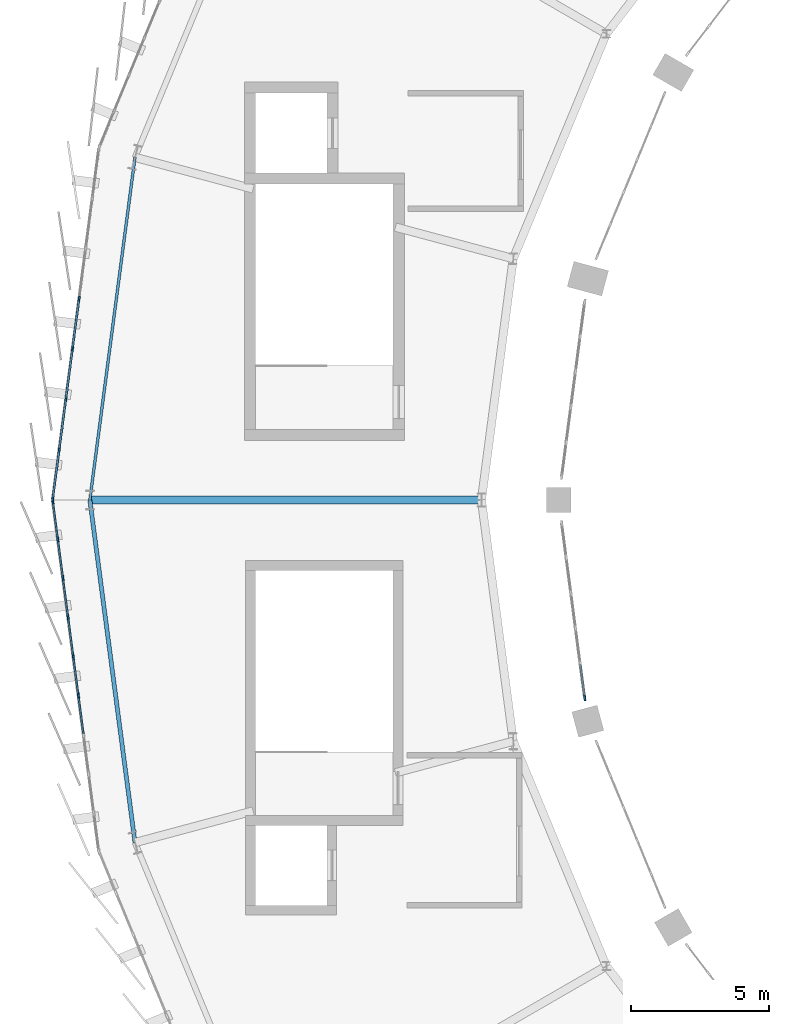
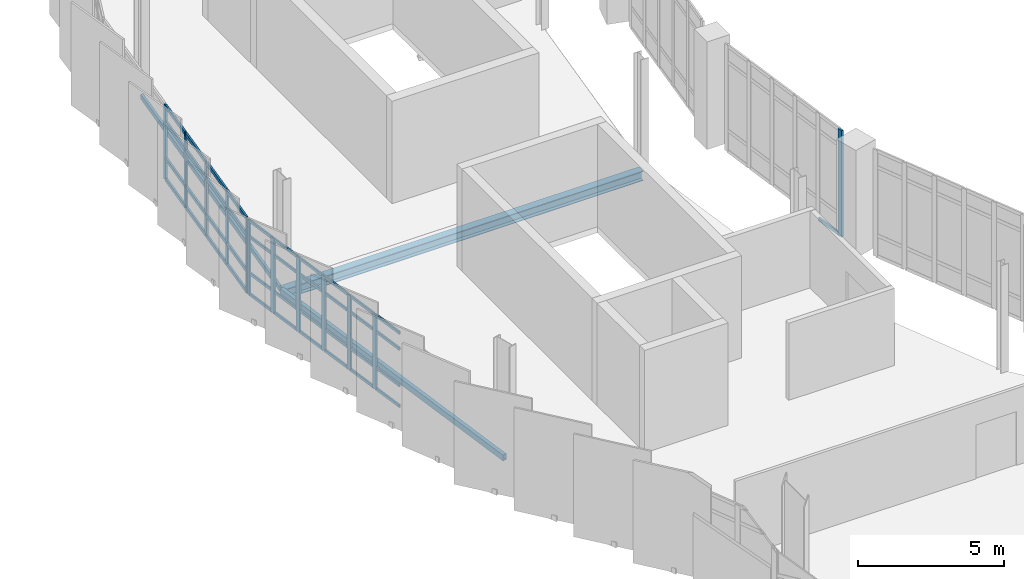
# One storey, part 28 of 67: 53 members, 3 beams, 3 elements without a shape of their own.
"""IFC4 building model written with IfcOpenShell, lengths in metres."""

from ifc_helpers import new_model, si_unit, direction, frame, origin, origin_2d, place, context, subcontext, project, spatial, rectangle, hollow_rectangle, i_section, extrude, material, layer, layer_set, material_profile, profile_set, type_object, element, aggregate, save


model = new_model("IFC4")

# Units and contexts
model_context = context("Model", 3, precision=1e-05, world=origin(), true_north=direction((0.0, 1.0)))
body_context = subcontext(model_context, "Body", "Model", "MODEL_VIEW")
ifc_project = project(units=[si_unit("LENGTHUNIT", "METRE"), si_unit("AREAUNIT", "SQUARE_METRE"), si_unit("VOLUMEUNIT", "CUBIC_METRE"), si_unit("PLANEANGLEUNIT", "RADIAN"), si_unit("MASSUNIT", "GRAM", prefix="KILO")], contexts=[model_context])

# Site, building, storey
site_placement = place(None, origin())
site = spatial("IfcSite", under=ifc_project, at=site_placement, CompositionType="ELEMENT")
building_placement = place(site_placement, origin())
building = spatial("IfcBuilding", under=site, at=building_placement, Name="Sohan Crest Arena", CompositionType="ELEMENT")
storey_placement = place(building_placement, frame((0.0, 0.0, 22.5)))
storey = spatial("IfcBuildingStorey", under=building, at=storey_placement, Name="L05", CompositionType="ELEMENT", Elevation=22.5)

# Curtain wall, members
ifc_material_1 = material(Name="Thermally broken anodised aluminium", Category="aluminium")
ifc_layer_1 = layer(ifc_material_1, 0.2099609375, Name="Thermally broken anodised aluminium")
ifc_layer_set_1 = layer_set([ifc_layer_1], Name="Thermally broken anodised aluminium")
curtain_wall_type_1 = type_object("IfcCurtainWallType", Name="ARC-CW06", PredefinedType="NOTDEFINED", material=ifc_layer_set_1)
curtain_wall_1_placement = place(storey_placement, origin())
curtain_wall_1 = element("IfcCurtainWall", 1, at=curtain_wall_1_placement, inside=storey, type_object=curtain_wall_type_1, Name="Unitised curtain wall CW-151", PredefinedType="NOTDEFINED")
ifc_material_profile_1 = material_profile(ifc_material_1, rectangle(XDim=0.06494140625, YDim=0.179931640625, at=origin_2d()), Name="ALU-MULL 65x180")
ifc_profile_set_1 = profile_set([ifc_material_profile_1], Name="Thermally broken anodised aluminium")
member_type_1 = type_object("IfcMemberType", Name="ARC-CW-ML02", PredefinedType="MULLION", material=ifc_profile_set_1)
member_1_placement = place(storey_placement, frame((49.611083984375, 85.298828125, 0.0), z_axis=(0.0, 0.0, 1.0), x_axis=(0.991440816386, -0.130556913275, 0.0)))
member_1 = element("IfcMember", 2, at=member_1_placement, type_object=member_type_1, Name="CW-151 mullion 4", PredefinedType="MULLION", context=body_context, shape_type="SweptSolid", body=[
    extrude(rectangle(XDim=0.06494140625, YDim=0.179931640625, at=origin_2d()), origin(), (0.0, 0.0, 1.0), 3.1201171875),
])
member_2_placement = place(storey_placement, frame((49.370849609375, 83.47412109375, 0.0), z_axis=(0.0, 0.0, 1.0), x_axis=(0.991440816386, -0.130556913275, 0.0)))
member_2 = element("IfcMember", 3, at=member_2_placement, type_object=member_type_1, Name="CW-151 mullion 5", PredefinedType="MULLION", context=body_context, shape_type="SweptSolid", body=[
    extrude(rectangle(XDim=0.06494140625, YDim=0.179931640625, at=origin_2d()), origin(), (0.0, 0.0, 1.0), 3.1201171875),
])
member_3_placement = place(storey_placement, frame((49.130615234375, 81.6494140625, 0.0), z_axis=(0.0, 0.0, 1.0), x_axis=(0.991440816386, -0.130556913275, 0.0)))
member_3 = element("IfcMember", 4, at=member_3_placement, type_object=member_type_1, Name="CW-151 mullion 6", PredefinedType="MULLION", context=body_context, shape_type="SweptSolid", body=[
    extrude(rectangle(XDim=0.06494140625, YDim=0.179931640625, at=origin_2d()), origin(), (0.0, 0.0, 1.0), 3.1201171875),
])
member_4_placement = place(storey_placement, frame((48.890380859375, 79.82470703125, 0.0), z_axis=(0.0, 0.0, 1.0), x_axis=(0.991440816386, -0.130556913275, 0.0)))
member_4 = element("IfcMember", 5, at=member_4_placement, type_object=member_type_1, Name="CW-151 mullion 7", PredefinedType="MULLION", context=body_context, shape_type="SweptSolid", body=[
    extrude(rectangle(XDim=0.06494140625, YDim=0.179931640625, at=origin_2d()), origin(), (0.0, 0.0, 1.0), 3.1201171875),
])
member_5_placement = place(storey_placement, frame((48.654296875, 78.0322265625, 0.0), z_axis=(0.0, 0.0, 1.0), x_axis=(0.991440816386, -0.130556913275, 0.0)))
member_5 = element("IfcMember", 6, at=member_5_placement, type_object=member_type_1, Name="CW-151 mullion 8", PredefinedType="MULLION", context=body_context, shape_type="SweptSolid", body=[
    extrude(rectangle(XDim=0.06494140625, YDim=0.179931640625, at=origin_2d()), origin(), (0.0, 0.0, 1.0), 3.1201171875),
])

ifc_layer_2 = layer(ifc_material_1, 0.179931640625, Name="Thermally broken anodised aluminium")
ifc_layer_set_2 = layer_set([ifc_layer_2], Name="Thermally broken anodised aluminium")
curtain_wall_type_2 = type_object("IfcCurtainWallType", Name="ARC-CW01", PredefinedType="NOTDEFINED", material=ifc_layer_set_2)
curtain_wall_2_placement = place(storey_placement, origin())
curtain_wall_2 = element("IfcCurtainWall", 7, at=curtain_wall_2_placement, inside=storey, type_object=curtain_wall_type_2, Name="Unitised curtain wall CW-152", PredefinedType="NOTDEFINED")
ifc_material_profile_2 = material_profile(ifc_material_1, rectangle(XDim=0.070068359375, YDim=0.199951171875, at=origin_2d()), Name="ALU-MULL 70x200")
ifc_profile_set_2 = profile_set([ifc_material_profile_2], Name="Thermally broken anodised aluminium")
member_type_2 = type_object("IfcMemberType", Name="ARC-CW-ML03", PredefinedType="MULLION", material=ifc_profile_set_2)
member_6_placement = place(storey_placement, frame((48.654541015625, 77.96533203125, 0.0), z_axis=(0.0, 0.0, 1.0), x_axis=(0.991440816386, 0.130556913275, 0.0)))
member_6 = element("IfcMember", 8, at=member_6_placement, type_object=member_type_2, Name="CW-152 mullion 1", PredefinedType="MULLION", context=body_context, shape_type="SweptSolid", body=[
    extrude(rectangle(XDim=0.070068359375, YDim=0.199951171875, at=origin_2d()), origin(), (0.0, 0.0, 1.0), 3.1201171875),
])
member_7_placement = place(storey_placement, frame((48.8369140625, 76.580810546875, 0.0), z_axis=(0.0, 0.0, 1.0), x_axis=(0.991440816386, 0.130556913275, 0.0)))
member_7 = element("IfcMember", 9, at=member_7_placement, type_object=member_type_2, Name="CW-152 mullion 2", PredefinedType="MULLION", context=body_context, shape_type="SweptSolid", body=[
    extrude(rectangle(XDim=0.070068359375, YDim=0.199951171875, at=origin_2d()), origin(), (0.0, 0.0, 1.0), 3.1201171875),
])
member_8_placement = place(storey_placement, frame((49.023681640625, 75.16162109375, 0.0), z_axis=(0.0, 0.0, 1.0), x_axis=(0.991440816386, 0.130556913275, 0.0)))
member_8 = element("IfcMember", 10, at=member_8_placement, type_object=member_type_2, Name="CW-152 mullion 3", PredefinedType="MULLION", context=body_context, shape_type="SweptSolid", body=[
    extrude(rectangle(XDim=0.070068359375, YDim=0.199951171875, at=origin_2d()), origin(), (0.0, 0.0, 1.0), 3.1201171875),
])
member_9_placement = place(storey_placement, frame((49.210693359375, 73.742431640625, 0.0), z_axis=(0.0, 0.0, 1.0), x_axis=(0.991440816386, 0.130556913275, 0.0)))
member_9 = element("IfcMember", 11, at=member_9_placement, type_object=member_type_2, Name="CW-152 mullion 4", PredefinedType="MULLION", context=body_context, shape_type="SweptSolid", body=[
    extrude(rectangle(XDim=0.070068359375, YDim=0.199951171875, at=origin_2d()), origin(), (0.0, 0.0, 1.0), 3.1201171875),
])
member_10_placement = place(storey_placement, frame((49.3974609375, 72.322998046875, 0.0), z_axis=(0.0, 0.0, 1.0), x_axis=(0.991440816386, 0.130556913275, 0.0)))
member_10 = element("IfcMember", 12, at=member_10_placement, type_object=member_type_2, Name="CW-152 mullion 5", PredefinedType="MULLION", context=body_context, shape_type="SweptSolid", body=[
    extrude(rectangle(XDim=0.070068359375, YDim=0.199951171875, at=origin_2d()), origin(), (0.0, 0.0, 1.0), 3.1201171875),
])
member_11_placement = place(storey_placement, frame((49.58447265625, 70.90380859375, 0.0), z_axis=(0.0, 0.0, 1.0), x_axis=(0.991440816386, 0.130556913275, 0.0)))
member_11 = element("IfcMember", 13, at=member_11_placement, type_object=member_type_2, Name="CW-152 mullion 6", PredefinedType="MULLION", context=body_context, shape_type="SweptSolid", body=[
    extrude(rectangle(XDim=0.070068359375, YDim=0.199951171875, at=origin_2d()), origin(), (0.0, 0.0, 1.0), 3.1201171875),
])

# Curtain wall, member
ifc_layer_3 = layer(ifc_material_1, 0.18994140625, Name="Thermally broken anodised aluminium")
ifc_layer_set_3 = layer_set([ifc_layer_3], Name="Thermally broken anodised aluminium")
curtain_wall_type_3 = type_object("IfcCurtainWallType", Name="ARC-CW05", PredefinedType="NOTDEFINED", material=ifc_layer_set_3)
curtain_wall_3_placement = place(storey_placement, origin())
curtain_wall_3 = element("IfcCurtainWall", 14, at=curtain_wall_3_placement, inside=storey, type_object=curtain_wall_type_3, Name="Unitised curtain wall CW-176", PredefinedType="NOTDEFINED")
member_12_placement = place(storey_placement, frame((67.9443359375, 70.82470703125, 0.0), z_axis=(0.0, 0.0, 1.0), x_axis=(0.991448491802, 0.130498613419, 0.0)))
member_12 = element("IfcMember", 15, at=member_12_placement, type_object=member_type_2, Name="CW-176 mullion 6", PredefinedType="MULLION", context=body_context, shape_type="SweptSolid", body=[
    extrude(rectangle(XDim=0.070068359375, YDim=0.199951171875, at=origin_2d()), origin(), (0.0, 0.0, 1.0), 4.449951171875),
])

# Member
ifc_material_profile_3 = material_profile(ifc_material_1, rectangle(XDim=0.06005859375, YDim=0.1201171875, at=origin_2d()), Name="ALU-TRAN 60x120")
ifc_profile_set_3 = profile_set([ifc_material_profile_3], Name="Thermally broken anodised aluminium")
member_type_3 = type_object("IfcMemberType", Name="ARC-CW-TR01", PredefinedType="USERDEFINED", material=ifc_profile_set_3)
member_13_placement = place(storey_placement, frame((48.6591796875, 77.9306640625, 0.030029296875), z_axis=(0.130487838532, -0.991449909978, 0.0), x_axis=(0.991449909978, 0.130487838532, 0.0)))
member_13 = element("IfcMember", 16, at=member_13_placement, type_object=member_type_3, Name="CW-152 transom 1.1", ObjectType="TRANSOM", PredefinedType="USERDEFINED", context=body_context, shape_type="SweptSolid", body=[
    extrude(rectangle(XDim=0.06005859375, YDim=0.1201171875, at=origin_2d()), origin(), (0.0, 0.0, 1.0), 1.326416015625),
])

member_14_placement = place(storey_placement, frame((48.6591796875, 77.9306640625, 0.89990234375), z_axis=(0.130487838532, -0.991449909978, 0.0), x_axis=(0.991449909978, 0.130487838532, 0.0)))
member_14 = element("IfcMember", 17, at=member_14_placement, type_object=member_type_3, Name="CW-152 transom 1.2", ObjectType="TRANSOM", PredefinedType="USERDEFINED", context=body_context, shape_type="SweptSolid", body=[
    extrude(rectangle(XDim=0.06005859375, YDim=0.1201171875, at=origin_2d()), origin(), (0.0, 0.0, 1.0), 1.326416015625),
])

member_15_placement = place(storey_placement, frame((48.6591796875, 77.9306640625, 2.419921875), z_axis=(0.130487838532, -0.991449909978, 0.0), x_axis=(0.991449909978, 0.130487838532, 0.0)))
member_15 = element("IfcMember", 18, at=member_15_placement, type_object=member_type_3, Name="CW-152 transom 1.3", ObjectType="TRANSOM", PredefinedType="USERDEFINED", context=body_context, shape_type="SweptSolid", body=[
    extrude(rectangle(XDim=0.06005859375, YDim=0.1201171875, at=origin_2d()), origin(), (0.0, 0.0, 1.0), 1.326416015625),
])

member_16_placement = place(storey_placement, frame((48.6591796875, 77.9306640625, 3.090087890625), z_axis=(0.130487838532, -0.991449909978, 0.0), x_axis=(0.991449909978, 0.130487838532, 0.0)))
member_16 = element("IfcMember", 19, at=member_16_placement, type_object=member_type_3, Name="CW-152 transom 1.4", ObjectType="TRANSOM", PredefinedType="USERDEFINED", context=body_context, shape_type="SweptSolid", body=[
    extrude(rectangle(XDim=0.06005859375, YDim=0.1201171875, at=origin_2d()), origin(), (0.0, 0.0, 1.0), 1.326416015625),
])

member_17_placement = place(storey_placement, frame((48.841552734375, 76.546142578125, 0.030029296875), z_axis=(0.130542644625, -0.991442695235, 0.0), x_axis=(0.991442695235, 0.130542644625, 0.0)))
member_17 = element("IfcMember", 20, at=member_17_placement, type_object=member_type_3, Name="CW-152 transom 2.1", ObjectType="TRANSOM", PredefinedType="USERDEFINED", context=body_context, shape_type="SweptSolid", body=[
    extrude(rectangle(XDim=0.06005859375, YDim=0.1201171875, at=origin_2d()), origin(), (0.0, 0.0, 1.0), 1.361572265625),
])

member_18_placement = place(storey_placement, frame((48.841552734375, 76.546142578125, 0.89990234375), z_axis=(0.130542644625, -0.991442695235, 0.0), x_axis=(0.991442695235, 0.130542644625, 0.0)))
member_18 = element("IfcMember", 21, at=member_18_placement, type_object=member_type_3, Name="CW-152 transom 2.2", ObjectType="TRANSOM", PredefinedType="USERDEFINED", context=body_context, shape_type="SweptSolid", body=[
    extrude(rectangle(XDim=0.06005859375, YDim=0.1201171875, at=origin_2d()), origin(), (0.0, 0.0, 1.0), 1.361572265625),
])

member_19_placement = place(storey_placement, frame((48.841552734375, 76.546142578125, 2.419921875), z_axis=(0.130542644625, -0.991442695235, 0.0), x_axis=(0.991442695235, 0.130542644625, 0.0)))
member_19 = element("IfcMember", 22, at=member_19_placement, type_object=member_type_3, Name="CW-152 transom 2.3", ObjectType="TRANSOM", PredefinedType="USERDEFINED", context=body_context, shape_type="SweptSolid", body=[
    extrude(rectangle(XDim=0.06005859375, YDim=0.1201171875, at=origin_2d()), origin(), (0.0, 0.0, 1.0), 1.361572265625),
])

member_20_placement = place(storey_placement, frame((48.841552734375, 76.546142578125, 3.090087890625), z_axis=(0.130542644625, -0.991442695235, 0.0), x_axis=(0.991442695235, 0.130542644625, 0.0)))
member_20 = element("IfcMember", 23, at=member_20_placement, type_object=member_type_3, Name="CW-152 transom 2.4", ObjectType="TRANSOM", PredefinedType="USERDEFINED", context=body_context, shape_type="SweptSolid", body=[
    extrude(rectangle(XDim=0.06005859375, YDim=0.1201171875, at=origin_2d()), origin(), (0.0, 0.0, 1.0), 1.361572265625),
])

member_21_placement = place(storey_placement, frame((49.0283203125, 75.126953125, 0.030029296875), z_axis=(0.130542644625, -0.991442695235, 0.0), x_axis=(0.991442695235, 0.130542644625, 0.0)))
member_21 = element("IfcMember", 24, at=member_21_placement, type_object=member_type_3, Name="CW-152 transom 3.1", ObjectType="TRANSOM", PredefinedType="USERDEFINED", context=body_context, shape_type="SweptSolid", body=[
    extrude(rectangle(XDim=0.06005859375, YDim=0.1201171875, at=origin_2d()), origin(), (0.0, 0.0, 1.0), 1.361572265625),
])

member_22_placement = place(storey_placement, frame((49.0283203125, 75.126953125, 0.89990234375), z_axis=(0.130542644625, -0.991442695235, 0.0), x_axis=(0.991442695235, 0.130542644625, 0.0)))
member_22 = element("IfcMember", 25, at=member_22_placement, type_object=member_type_3, Name="CW-152 transom 3.2", ObjectType="TRANSOM", PredefinedType="USERDEFINED", context=body_context, shape_type="SweptSolid", body=[
    extrude(rectangle(XDim=0.06005859375, YDim=0.1201171875, at=origin_2d()), origin(), (0.0, 0.0, 1.0), 1.361572265625),
])

member_23_placement = place(storey_placement, frame((49.0283203125, 75.126953125, 2.419921875), z_axis=(0.130542644625, -0.991442695235, 0.0), x_axis=(0.991442695235, 0.130542644625, 0.0)))
member_23 = element("IfcMember", 26, at=member_23_placement, type_object=member_type_3, Name="CW-152 transom 3.3", ObjectType="TRANSOM", PredefinedType="USERDEFINED", context=body_context, shape_type="SweptSolid", body=[
    extrude(rectangle(XDim=0.06005859375, YDim=0.1201171875, at=origin_2d()), origin(), (0.0, 0.0, 1.0), 1.361572265625),
])

member_24_placement = place(storey_placement, frame((49.0283203125, 75.126953125, 3.090087890625), z_axis=(0.130542644625, -0.991442695235, 0.0), x_axis=(0.991442695235, 0.130542644625, 0.0)))
member_24 = element("IfcMember", 27, at=member_24_placement, type_object=member_type_3, Name="CW-152 transom 3.4", ObjectType="TRANSOM", PredefinedType="USERDEFINED", context=body_context, shape_type="SweptSolid", body=[
    extrude(rectangle(XDim=0.06005859375, YDim=0.1201171875, at=origin_2d()), origin(), (0.0, 0.0, 1.0), 1.361572265625),
])

member_25_placement = place(storey_placement, frame((49.21533203125, 73.70751953125, 0.030029296875), z_axis=(0.130565856894, -0.991439638613, 0.0), x_axis=(0.991439638613, 0.130565856894, 0.0)))
member_25 = element("IfcMember", 28, at=member_25_placement, type_object=member_type_3, Name="CW-152 transom 4.1", ObjectType="TRANSOM", PredefinedType="USERDEFINED", context=body_context, shape_type="SweptSolid", body=[
    extrude(rectangle(XDim=0.06005859375, YDim=0.1201171875, at=origin_2d()), origin(), (0.0, 0.0, 1.0), 1.361328125),
])

member_26_placement = place(storey_placement, frame((49.21533203125, 73.70751953125, 0.89990234375), z_axis=(0.130565856894, -0.991439638613, 0.0), x_axis=(0.991439638613, 0.130565856894, 0.0)))
member_26 = element("IfcMember", 29, at=member_26_placement, type_object=member_type_3, Name="CW-152 transom 4.2", ObjectType="TRANSOM", PredefinedType="USERDEFINED", context=body_context, shape_type="SweptSolid", body=[
    extrude(rectangle(XDim=0.06005859375, YDim=0.1201171875, at=origin_2d()), origin(), (0.0, 0.0, 1.0), 1.361328125),
])

member_27_placement = place(storey_placement, frame((49.21533203125, 73.70751953125, 2.419921875), z_axis=(0.130565856894, -0.991439638613, 0.0), x_axis=(0.991439638613, 0.130565856894, 0.0)))
member_27 = element("IfcMember", 30, at=member_27_placement, type_object=member_type_3, Name="CW-152 transom 4.3", ObjectType="TRANSOM", PredefinedType="USERDEFINED", context=body_context, shape_type="SweptSolid", body=[
    extrude(rectangle(XDim=0.06005859375, YDim=0.1201171875, at=origin_2d()), origin(), (0.0, 0.0, 1.0), 1.361328125),
])

member_28_placement = place(storey_placement, frame((49.21533203125, 73.70751953125, 3.090087890625), z_axis=(0.130565856894, -0.991439638613, 0.0), x_axis=(0.991439638613, 0.130565856894, 0.0)))
member_28 = element("IfcMember", 31, at=member_28_placement, type_object=member_type_3, Name="CW-152 transom 4.4", ObjectType="TRANSOM", PredefinedType="USERDEFINED", context=body_context, shape_type="SweptSolid", body=[
    extrude(rectangle(XDim=0.06005859375, YDim=0.1201171875, at=origin_2d()), origin(), (0.0, 0.0, 1.0), 1.361328125),
])

member_29_placement = place(storey_placement, frame((49.402099609375, 72.288330078125, 0.030029296875), z_axis=(0.130542644625, -0.991442695235, 0.0), x_axis=(0.991442695235, 0.130542644625, 0.0)))
member_29 = element("IfcMember", 32, at=member_29_placement, type_object=member_type_3, Name="CW-152 transom 5.1", ObjectType="TRANSOM", PredefinedType="USERDEFINED", context=body_context, shape_type="SweptSolid", body=[
    extrude(rectangle(XDim=0.06005859375, YDim=0.1201171875, at=origin_2d()), origin(), (0.0, 0.0, 1.0), 1.361572265625),
])

member_30_placement = place(storey_placement, frame((49.402099609375, 72.288330078125, 0.89990234375), z_axis=(0.130542644625, -0.991442695235, 0.0), x_axis=(0.991442695235, 0.130542644625, 0.0)))
member_30 = element("IfcMember", 33, at=member_30_placement, type_object=member_type_3, Name="CW-152 transom 5.2", ObjectType="TRANSOM", PredefinedType="USERDEFINED", context=body_context, shape_type="SweptSolid", body=[
    extrude(rectangle(XDim=0.06005859375, YDim=0.1201171875, at=origin_2d()), origin(), (0.0, 0.0, 1.0), 1.361572265625),
])

member_31_placement = place(storey_placement, frame((49.402099609375, 72.288330078125, 2.419921875), z_axis=(0.130542644625, -0.991442695235, 0.0), x_axis=(0.991442695235, 0.130542644625, 0.0)))
member_31 = element("IfcMember", 34, at=member_31_placement, type_object=member_type_3, Name="CW-152 transom 5.3", ObjectType="TRANSOM", PredefinedType="USERDEFINED", context=body_context, shape_type="SweptSolid", body=[
    extrude(rectangle(XDim=0.06005859375, YDim=0.1201171875, at=origin_2d()), origin(), (0.0, 0.0, 1.0), 1.361572265625),
])

member_32_placement = place(storey_placement, frame((49.402099609375, 72.288330078125, 3.090087890625), z_axis=(0.130542644625, -0.991442695235, 0.0), x_axis=(0.991442695235, 0.130542644625, 0.0)))
member_32 = element("IfcMember", 35, at=member_32_placement, type_object=member_type_3, Name="CW-152 transom 5.4", ObjectType="TRANSOM", PredefinedType="USERDEFINED", context=body_context, shape_type="SweptSolid", body=[
    extrude(rectangle(XDim=0.06005859375, YDim=0.1201171875, at=origin_2d()), origin(), (0.0, 0.0, 1.0), 1.361572265625),
])

member_33_placement = place(storey_placement, frame((49.589111328125, 70.869140625, 0.030029296875), z_axis=(0.130542644625, -0.991442695235, 0.0), x_axis=(0.991442695235, 0.130542644625, 0.0)))
member_33 = element("IfcMember", 36, at=member_33_placement, type_object=member_type_3, Name="CW-152 transom 6.1", ObjectType="TRANSOM", PredefinedType="USERDEFINED", context=body_context, shape_type="SweptSolid", body=[
    extrude(rectangle(XDim=0.06005859375, YDim=0.1201171875, at=origin_2d()), origin(), (0.0, 0.0, 1.0), 1.361572265625),
])

member_34_placement = place(storey_placement, frame((49.589111328125, 70.869140625, 0.89990234375), z_axis=(0.130542644625, -0.991442695235, 0.0), x_axis=(0.991442695235, 0.130542644625, 0.0)))
member_34 = element("IfcMember", 37, at=member_34_placement, type_object=member_type_3, Name="CW-152 transom 6.2", ObjectType="TRANSOM", PredefinedType="USERDEFINED", context=body_context, shape_type="SweptSolid", body=[
    extrude(rectangle(XDim=0.06005859375, YDim=0.1201171875, at=origin_2d()), origin(), (0.0, 0.0, 1.0), 1.361572265625),
])

member_35_placement = place(storey_placement, frame((49.589111328125, 70.869140625, 2.419921875), z_axis=(0.130542644625, -0.991442695235, 0.0), x_axis=(0.991442695235, 0.130542644625, 0.0)))
member_35 = element("IfcMember", 38, at=member_35_placement, type_object=member_type_3, Name="CW-152 transom 6.3", ObjectType="TRANSOM", PredefinedType="USERDEFINED", context=body_context, shape_type="SweptSolid", body=[
    extrude(rectangle(XDim=0.06005859375, YDim=0.1201171875, at=origin_2d()), origin(), (0.0, 0.0, 1.0), 1.361572265625),
])

member_36_placement = place(storey_placement, frame((49.589111328125, 70.869140625, 3.090087890625), z_axis=(0.130542644625, -0.991442695235, 0.0), x_axis=(0.991442695235, 0.130542644625, 0.0)))
member_36 = element("IfcMember", 39, at=member_36_placement, type_object=member_type_3, Name="CW-152 transom 6.4", ObjectType="TRANSOM", PredefinedType="USERDEFINED", context=body_context, shape_type="SweptSolid", body=[
    extrude(rectangle(XDim=0.06005859375, YDim=0.1201171875, at=origin_2d()), origin(), (0.0, 0.0, 1.0), 1.361572265625),
])

aggregate(curtain_wall_2, [member_6, member_7, member_8, member_9, member_10, member_11, member_13, member_14, member_15, member_16, member_17, member_18, member_19, member_20, member_21, member_22, member_23, member_24, member_25, member_26, member_27, member_28, member_29, member_30, member_31, member_32, member_33, member_34, member_35, member_36])

ifc_material_profile_4 = material_profile(ifc_material_1, rectangle(XDim=0.06494140625, YDim=0.139892578125, at=origin_2d()), Name="ALU-TRAN 65x140")
ifc_profile_set_4 = profile_set([ifc_material_profile_4], Name="Thermally broken anodised aluminium")
member_type_4 = type_object("IfcMemberType", Name="ARC-CW-TR02", PredefinedType="USERDEFINED", material=ifc_profile_set_4)
member_37_placement = place(storey_placement, frame((67.78515625, 72.03466796875, 0.032470703125), z_axis=(0.130571716173, -0.991438866968, 0.0), x_axis=(0.991438866968, 0.130571716173, 0.0)))
member_37 = element("IfcMember", 40, at=member_37_placement, type_object=member_type_4, Name="CW-176 transom 5.1", ObjectType="TRANSOM", PredefinedType="USERDEFINED", context=body_context, shape_type="SweptSolid", body=[
    extrude(rectangle(XDim=0.06494140625, YDim=0.139892578125, at=origin_2d()), origin(), (0.0, 0.0, 1.0), 1.185546875),
])

aggregate(curtain_wall_3, [member_12, member_37])

ifc_material_profile_5 = material_profile(ifc_material_1, rectangle(XDim=0.070068359375, YDim=0.14990234375, at=origin_2d()), Name="ALU-TRAN 70x150")
ifc_profile_set_5 = profile_set([ifc_material_profile_5], Name="Thermally broken anodised aluminium")
member_type_5 = type_object("IfcMemberType", Name="ARC-CW-TR03", PredefinedType="USERDEFINED", material=ifc_profile_set_5)
member_38_placement = place(storey_placement, frame((49.60693359375, 85.2666015625, 0.034912109375), z_axis=(-0.130632362566, -0.991430877999, 0.0), x_axis=(0.991430877999, -0.130632362566, 0.0)))
member_38 = element("IfcMember", 41, at=member_38_placement, type_object=member_type_5, Name="CW-151 transom 4.1", ObjectType="TRANSOM", PredefinedType="USERDEFINED", context=body_context, shape_type="SweptSolid", body=[
    extrude(rectangle(XDim=0.070068359375, YDim=0.14990234375, at=origin_2d()), origin(), (0.0, 0.0, 1.0), 1.775390625),
])

member_39_placement = place(storey_placement, frame((49.60693359375, 85.2666015625, 0.89990234375), z_axis=(-0.130632362566, -0.991430877999, 0.0), x_axis=(0.991430877999, -0.130632362566, 0.0)))
member_39 = element("IfcMember", 42, at=member_39_placement, type_object=member_type_5, Name="CW-151 transom 4.2", ObjectType="TRANSOM", PredefinedType="USERDEFINED", context=body_context, shape_type="SweptSolid", body=[
    extrude(rectangle(XDim=0.070068359375, YDim=0.14990234375, at=origin_2d()), origin(), (0.0, 0.0, 1.0), 1.775390625),
])

member_40_placement = place(storey_placement, frame((49.60693359375, 85.2666015625, 2.419921875), z_axis=(-0.130632362566, -0.991430877999, 0.0), x_axis=(0.991430877999, -0.130632362566, 0.0)))
member_40 = element("IfcMember", 43, at=member_40_placement, type_object=member_type_5, Name="CW-151 transom 4.3", ObjectType="TRANSOM", PredefinedType="USERDEFINED", context=body_context, shape_type="SweptSolid", body=[
    extrude(rectangle(XDim=0.070068359375, YDim=0.14990234375, at=origin_2d()), origin(), (0.0, 0.0, 1.0), 1.775390625),
])

member_41_placement = place(storey_placement, frame((49.60693359375, 85.2666015625, 3.0849609375), z_axis=(-0.130632362566, -0.991430877999, 0.0), x_axis=(0.991430877999, -0.130632362566, 0.0)))
member_41 = element("IfcMember", 44, at=member_41_placement, type_object=member_type_5, Name="CW-151 transom 4.4", ObjectType="TRANSOM", PredefinedType="USERDEFINED", context=body_context, shape_type="SweptSolid", body=[
    extrude(rectangle(XDim=0.070068359375, YDim=0.14990234375, at=origin_2d()), origin(), (0.0, 0.0, 1.0), 1.775390625),
])

member_42_placement = place(storey_placement, frame((49.36669921875, 83.44189453125, 0.034912109375), z_axis=(-0.130632362566, -0.991430877999, 0.0), x_axis=(0.991430877999, -0.130632362566, 0.0)))
member_42 = element("IfcMember", 45, at=member_42_placement, type_object=member_type_5, Name="CW-151 transom 5.1", ObjectType="TRANSOM", PredefinedType="USERDEFINED", context=body_context, shape_type="SweptSolid", body=[
    extrude(rectangle(XDim=0.070068359375, YDim=0.14990234375, at=origin_2d()), origin(), (0.0, 0.0, 1.0), 1.775390625),
])

member_43_placement = place(storey_placement, frame((49.36669921875, 83.44189453125, 0.89990234375), z_axis=(-0.130632362566, -0.991430877999, 0.0), x_axis=(0.991430877999, -0.130632362566, 0.0)))
member_43 = element("IfcMember", 46, at=member_43_placement, type_object=member_type_5, Name="CW-151 transom 5.2", ObjectType="TRANSOM", PredefinedType="USERDEFINED", context=body_context, shape_type="SweptSolid", body=[
    extrude(rectangle(XDim=0.070068359375, YDim=0.14990234375, at=origin_2d()), origin(), (0.0, 0.0, 1.0), 1.775390625),
])

member_44_placement = place(storey_placement, frame((49.36669921875, 83.44189453125, 2.419921875), z_axis=(-0.130632362566, -0.991430877999, 0.0), x_axis=(0.991430877999, -0.130632362566, 0.0)))
member_44 = element("IfcMember", 47, at=member_44_placement, type_object=member_type_5, Name="CW-151 transom 5.3", ObjectType="TRANSOM", PredefinedType="USERDEFINED", context=body_context, shape_type="SweptSolid", body=[
    extrude(rectangle(XDim=0.070068359375, YDim=0.14990234375, at=origin_2d()), origin(), (0.0, 0.0, 1.0), 1.775390625),
])

member_45_placement = place(storey_placement, frame((49.36669921875, 83.44189453125, 3.0849609375), z_axis=(-0.130632362566, -0.991430877999, 0.0), x_axis=(0.991430877999, -0.130632362566, 0.0)))
member_45 = element("IfcMember", 48, at=member_45_placement, type_object=member_type_5, Name="CW-151 transom 5.4", ObjectType="TRANSOM", PredefinedType="USERDEFINED", context=body_context, shape_type="SweptSolid", body=[
    extrude(rectangle(XDim=0.070068359375, YDim=0.14990234375, at=origin_2d()), origin(), (0.0, 0.0, 1.0), 1.775390625),
])

member_46_placement = place(storey_placement, frame((49.126220703125, 81.6171875, 0.034912109375), z_axis=(-0.130497197719, -0.991448678141, 0.0), x_axis=(0.991448678141, -0.130497197719, 0.0)))
member_46 = element("IfcMember", 49, at=member_46_placement, type_object=member_type_5, Name="CW-151 transom 6.1", ObjectType="TRANSOM", PredefinedType="USERDEFINED", context=body_context, shape_type="SweptSolid", body=[
    extrude(rectangle(XDim=0.070068359375, YDim=0.14990234375, at=origin_2d()), origin(), (0.0, 0.0, 1.0), 1.775390625),
])

member_47_placement = place(storey_placement, frame((49.126220703125, 81.6171875, 0.89990234375), z_axis=(-0.130497197719, -0.991448678141, 0.0), x_axis=(0.991448678141, -0.130497197719, 0.0)))
member_47 = element("IfcMember", 50, at=member_47_placement, type_object=member_type_5, Name="CW-151 transom 6.2", ObjectType="TRANSOM", PredefinedType="USERDEFINED", context=body_context, shape_type="SweptSolid", body=[
    extrude(rectangle(XDim=0.070068359375, YDim=0.14990234375, at=origin_2d()), origin(), (0.0, 0.0, 1.0), 1.775390625),
])

member_48_placement = place(storey_placement, frame((49.126220703125, 81.6171875, 2.419921875), z_axis=(-0.130497197719, -0.991448678141, 0.0), x_axis=(0.991448678141, -0.130497197719, 0.0)))
member_48 = element("IfcMember", 51, at=member_48_placement, type_object=member_type_5, Name="CW-151 transom 6.3", ObjectType="TRANSOM", PredefinedType="USERDEFINED", context=body_context, shape_type="SweptSolid", body=[
    extrude(rectangle(XDim=0.070068359375, YDim=0.14990234375, at=origin_2d()), origin(), (0.0, 0.0, 1.0), 1.775390625),
])

member_49_placement = place(storey_placement, frame((49.126220703125, 81.6171875, 3.0849609375), z_axis=(-0.130497197719, -0.991448678141, 0.0), x_axis=(0.991448678141, -0.130497197719, 0.0)))
member_49 = element("IfcMember", 52, at=member_49_placement, type_object=member_type_5, Name="CW-151 transom 6.4", ObjectType="TRANSOM", PredefinedType="USERDEFINED", context=body_context, shape_type="SweptSolid", body=[
    extrude(rectangle(XDim=0.070068359375, YDim=0.14990234375, at=origin_2d()), origin(), (0.0, 0.0, 1.0), 1.775390625),
])

member_50_placement = place(storey_placement, frame((48.885986328125, 79.79248046875, 0.034912109375), z_axis=(-0.130548720866, -0.991441895161, 0.0), x_axis=(0.991441895161, -0.130548720866, 0.0)))
member_50 = element("IfcMember", 53, at=member_50_placement, type_object=member_type_5, Name="CW-151 transom 7.1", ObjectType="TRANSOM", PredefinedType="USERDEFINED", context=body_context, shape_type="SweptSolid", body=[
    extrude(rectangle(XDim=0.070068359375, YDim=0.14990234375, at=origin_2d()), origin(), (0.0, 0.0, 1.0), 1.742919921875),
])

member_51_placement = place(storey_placement, frame((48.885986328125, 79.79248046875, 0.89990234375), z_axis=(-0.130548720866, -0.991441895161, 0.0), x_axis=(0.991441895161, -0.130548720866, 0.0)))
member_51 = element("IfcMember", 54, at=member_51_placement, type_object=member_type_5, Name="CW-151 transom 7.2", ObjectType="TRANSOM", PredefinedType="USERDEFINED", context=body_context, shape_type="SweptSolid", body=[
    extrude(rectangle(XDim=0.070068359375, YDim=0.14990234375, at=origin_2d()), origin(), (0.0, 0.0, 1.0), 1.742919921875),
])

member_52_placement = place(storey_placement, frame((48.885986328125, 79.79248046875, 2.419921875), z_axis=(-0.130548720866, -0.991441895161, 0.0), x_axis=(0.991441895161, -0.130548720866, 0.0)))
member_52 = element("IfcMember", 55, at=member_52_placement, type_object=member_type_5, Name="CW-151 transom 7.3", ObjectType="TRANSOM", PredefinedType="USERDEFINED", context=body_context, shape_type="SweptSolid", body=[
    extrude(rectangle(XDim=0.070068359375, YDim=0.14990234375, at=origin_2d()), origin(), (0.0, 0.0, 1.0), 1.742919921875),
])

member_53_placement = place(storey_placement, frame((48.885986328125, 79.79248046875, 3.0849609375), z_axis=(-0.130548720866, -0.991441895161, 0.0), x_axis=(0.991441895161, -0.130548720866, 0.0)))
member_53 = element("IfcMember", 56, at=member_53_placement, type_object=member_type_5, Name="CW-151 transom 7.4", ObjectType="TRANSOM", PredefinedType="USERDEFINED", context=body_context, shape_type="SweptSolid", body=[
    extrude(rectangle(XDim=0.070068359375, YDim=0.14990234375, at=origin_2d()), origin(), (0.0, 0.0, 1.0), 1.742919921875),
])

aggregate(curtain_wall_1, [member_1, member_2, member_3, member_4, member_5, member_38, member_39, member_40, member_41, member_42, member_43, member_44, member_45, member_46, member_47, member_48, member_49, member_50, member_51, member_52, member_53])

# Beams
ifc_material_2 = material(Name="Steel S355", Category="steel")
ifc_material_profile_6 = material_profile(ifc_material_2, i_section(OverallWidth=0.300048828125, OverallDepth=0.39990234375, WebThickness=0.013427734375, FlangeThickness=0.02392578125, at=origin_2d()), Name="HEB 400")
ifc_profile_set_6 = profile_set([ifc_material_profile_6], Name="Steel S355")
beam_type_1 = type_object("IfcBeamType", Name="STR-BM-B13", PredefinedType="BEAM", material=ifc_profile_set_6)
beam_1_placement = place(storey_placement, frame((64.199951171875, 78.0, -0.449951171875), z_axis=(-1.0, 0.0, 0.0), x_axis=(0.0, -1.0, 0.0)))
element("IfcBeam", 57, at=beam_1_placement, inside=storey, type_object=beam_type_1, Name="Structural beam G-L05-1732", PredefinedType="BEAM", context=body_context, shape_type="SweptSolid", body=[
    extrude(i_section(OverallWidth=0.300048828125, OverallDepth=0.39990234375, WebThickness=0.013427734375, FlangeThickness=0.02392578125, at=origin_2d()), origin(), (0.0, 0.0, 1.0), 14.199951171875),
])
ifc_material_profile_7 = material_profile(ifc_material_2, hollow_rectangle(XDim=0.10009765625, YDim=0.199951171875, WallThickness=0.008056640625, at=origin_2d()), Name="RHS 200x100x8")
ifc_profile_set_7 = profile_set([ifc_material_profile_7], Name="Steel S355")
beam_type_2 = type_object("IfcBeamType", Name="STR-BM-SP01", PredefinedType="SPANDREL", material=ifc_profile_set_7)
beam_2_placement = place(storey_placement, frame((51.635986328125, 90.423095703125, -0.35009765625), z_axis=(-0.130561865783, -0.991440164207, 0.0), x_axis=(0.991440164207, -0.130561865783, 0.0)))
element("IfcBeam", 58, at=beam_2_placement, inside=storey, type_object=beam_type_2, Name="Structural beam SP-L05-1731", PredefinedType="SPANDREL", context=body_context, shape_type="SweptSolid", body=[
    extrude(hollow_rectangle(XDim=0.10009765625, YDim=0.199951171875, WallThickness=0.008056640625, at=origin_2d()), origin(), (0.0, 0.0, 1.0), 12.5302734375),
])
ifc_material_profile_8 = material_profile(ifc_material_2, hollow_rectangle(XDim=0.14990234375, YDim=0.25, WallThickness=0.010009765625, at=origin_2d()), Name="RHS 250x150x10")
ifc_profile_set_8 = profile_set([ifc_material_profile_8], Name="Steel S355")
beam_type_3 = type_object("IfcBeamType", Name="STR-BM-SP02", PredefinedType="SPANDREL", material=ifc_profile_set_8)
beam_3_placement = place(storey_placement, frame((50.0, 78.0, -0.375), z_axis=(0.130561865783, -0.991440164207, 0.0), x_axis=(0.991440164207, 0.130561865783, 0.0)))
element("IfcBeam", 59, at=beam_3_placement, inside=storey, type_object=beam_type_3, Name="Structural beam SP-L05-1734", PredefinedType="SPANDREL", context=body_context, shape_type="SweptSolid", body=[
    extrude(hollow_rectangle(XDim=0.14990234375, YDim=0.25, WallThickness=0.010009765625, at=origin_2d()), origin(), (0.0, 0.0, 1.0), 12.5302734375),
])

save(model, "model.ifc")
